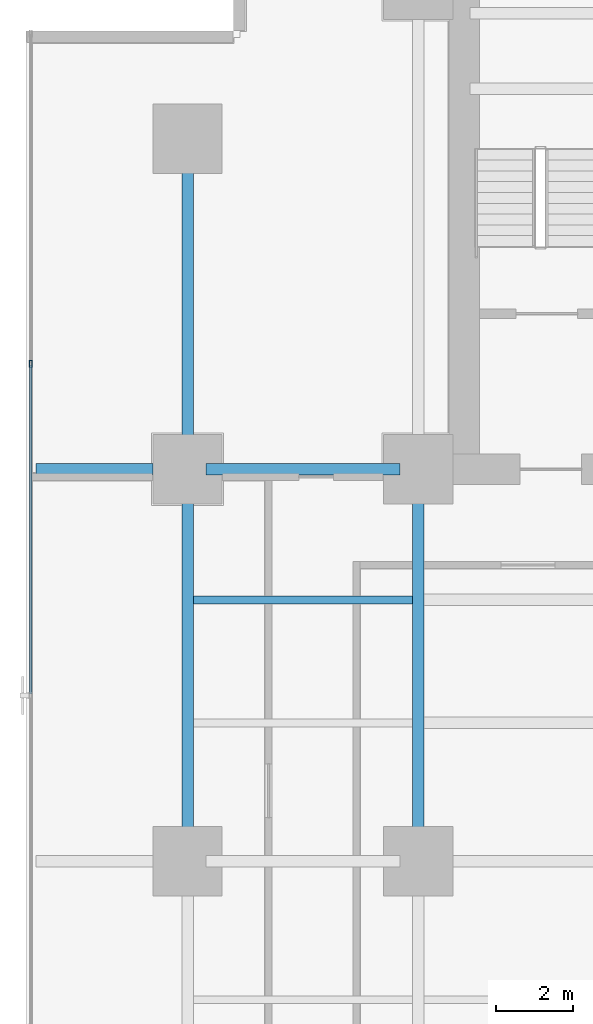
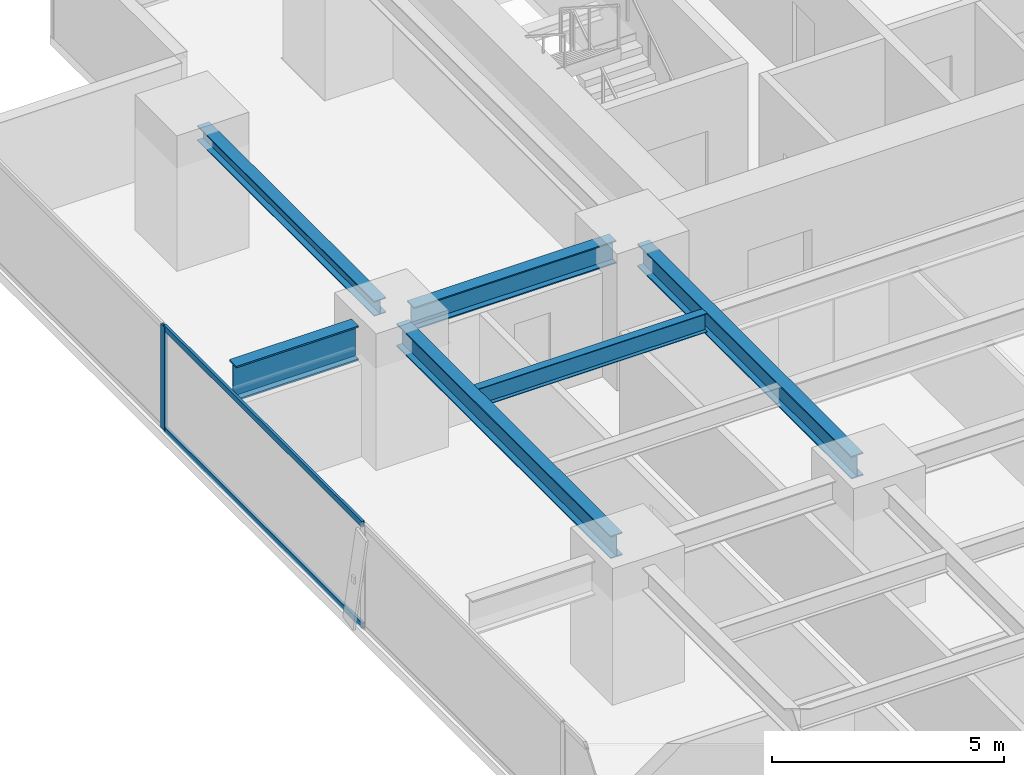
# One storey, part 16 of 33: 6 beams, 3 members, 1 element without a shape of its own.
"""IFC4 building model written with IfcOpenShell, lengths in metres."""

from ifc_helpers import new_model, si_unit, direction, frame, origin, origin_2d, place, context, subcontext, project, spatial, hollow_rectangle, i_section, extrude, source, transform, mapped, material, layer, layer_set, material_profile, profile_set, type_object, element, aggregate, save


model = new_model("IFC4")

# Units and contexts
model_context = context("Model", 3, precision=1e-05, world=origin(), true_north=direction((0.0, 1.0)))
body_context = subcontext(model_context, "Body", "Model", "MODEL_VIEW")
ifc_project = project(units=[si_unit("LENGTHUNIT", "METRE"), si_unit("AREAUNIT", "SQUARE_METRE"), si_unit("VOLUMEUNIT", "CUBIC_METRE"), si_unit("PLANEANGLEUNIT", "RADIAN"), si_unit("MASSUNIT", "GRAM", prefix="KILO")], contexts=[model_context])

# Site, building, storey
site_placement = place(None, origin())
site = spatial("IfcSite", under=ifc_project, at=site_placement, CompositionType="ELEMENT")
building_placement = place(site_placement, origin())
building = spatial("IfcBuilding", under=site, at=building_placement, Name="Sumidabori Civic Tower", CompositionType="ELEMENT")
storey_placement = place(building_placement, frame((0.0, 0.0, 63.199951171875)))
storey = spatial("IfcBuildingStorey", under=building, at=storey_placement, Name="L16", CompositionType="ELEMENT", Elevation=63.199951171875)

# Beams
ifc_material_1 = material(Name="Steel SN490", Category="steel")
ifc_material_profile_1 = material_profile(ifc_material_1, i_section(OverallWidth=0.300048828125, OverallDepth=0.60009765625, WebThickness=0.015380859375, FlangeThickness=0.030029296875, at=origin_2d()), Name="HE 600 B")
ifc_profile_set_1 = profile_set([ifc_material_profile_1], Name="Steel SN490")
beam_type_1 = type_object("IfcBeamType", Name="BM-GIRD-600", PredefinedType="BEAM", material=ifc_profile_set_1)
shared_shape_1 = source(origin(), body_context, "Body", "SweptSolid", [
    extrude(i_section(OverallWidth=0.300048828125, OverallDepth=0.60009765625, WebThickness=0.015380859375, FlangeThickness=0.030029296875, at=origin_2d()), origin(), (0.0, 0.0, 1.0), 5.0400390625),
])
beam_1_placement = place(storey_placement, frame((-22.320068359375, 10.199951171875, 3.06005859375), z_axis=(1.0, 0.0, 0.0), x_axis=(0.0, 1.0, 0.0)))
element("IfcBeam", 1, at=beam_1_placement, inside=storey, type_object=beam_type_1, Name="Primary Girder L16 GX-19", PredefinedType="BEAM", context=body_context, shape_type="MappedRepresentation", body=[
    mapped(shared_shape_1, transform((0.0, 0.0, 0.0), x_axis=(1.0, 0.0, 0.0), y_axis=(0.0, 1.0, 0.0), z_axis=(0.0, 0.0, 1.0), scale=1.0)),
])
shared_shape_2 = source(origin(), body_context, "Body", "SweptSolid", [
    extrude(i_section(OverallWidth=0.300048828125, OverallDepth=0.60009765625, WebThickness=0.015380859375, FlangeThickness=0.030029296875, at=origin_2d()), origin(), (0.0, 0.0, 1.0), 9.239990234375),
])
for number, where, z_axis, x_axis, name in (
    (2, (-22.800048828125, 0.47998046875, 3.06005859375), (0.0, 1.0, 0.0), (-1.0, 0.0, 0.0), "Primary Girder L16 GY-23"),
    (3, (-16.800048828125, 0.47998046875, 3.06005859375), (0.0, 1.0, 0.0), (-1.0, 0.0, 0.0), "Primary Girder L16 GY-27"),
):
    element("IfcBeam", number, at=place(storey_placement, frame(where, z_axis=z_axis, x_axis=x_axis)), inside=storey, type_object=beam_type_1, Name=name, PredefinedType="BEAM", context=body_context, shape_type="MappedRepresentation", body=[
        mapped(shared_shape_2, transform((0.0, 0.0, 0.0), x_axis=(1.0, 0.0, 0.0), y_axis=(0.0, 1.0, 0.0), z_axis=(0.0, 0.0, 1.0), scale=1.0)),
    ])
ifc_material_profile_2 = material_profile(ifc_material_1, i_section(OverallWidth=0.300048828125, OverallDepth=0.39990234375, WebThickness=0.013427734375, FlangeThickness=0.02392578125, at=origin_2d()), Name="HE 400 B")
ifc_profile_set_2 = profile_set([ifc_material_profile_2], Name="Steel SN490")
beam_type_2 = type_object("IfcBeamType", Name="BM-GIRD-400", PredefinedType="BEAM", material=ifc_profile_set_2)
shared_shape_3 = source(origin(), body_context, "Body", "SweptSolid", [
    extrude(i_section(OverallWidth=0.300048828125, OverallDepth=0.39990234375, WebThickness=0.013427734375, FlangeThickness=0.02392578125, at=origin_2d()), origin(), (0.0, 0.0, 1.0), 7.64013671875),
])
beam_2_placement = place(storey_placement, frame((-22.800048828125, 10.679931640625, 3.16015625), z_axis=(0.0, 1.0, 0.0), x_axis=(-1.0, 0.0, 0.0)))
element("IfcBeam", 4, at=beam_2_placement, inside=storey, type_object=beam_type_2, Name="Primary Girder L16 GY-24", PredefinedType="BEAM", context=body_context, shape_type="MappedRepresentation", body=[
    mapped(shared_shape_3, transform((0.0, 0.0, 0.0), x_axis=(1.0, 0.0, 0.0), y_axis=(0.0, 1.0, 0.0), z_axis=(0.0, 0.0, 1.0), scale=1.0)),
])
ifc_material_profile_3 = material_profile(ifc_material_1, i_section(OverallWidth=0.302001953125, OverallDepth=0.909912109375, WebThickness=0.02099609375, FlangeThickness=0.0400390625, at=origin_2d()), Name="HE 900 M")
ifc_profile_set_3 = profile_set([ifc_material_profile_3], Name="Steel SN490")
beam_type_3 = type_object("IfcBeamType", Name="BM-Z1-EDGE", PredefinedType="SPANDREL", material=ifc_profile_set_3)
shared_shape_4 = source(origin(), body_context, "Body", "SweptSolid", [
    extrude(i_section(OverallWidth=0.302001953125, OverallDepth=0.909912109375, WebThickness=0.02099609375, FlangeThickness=0.0400390625, at=origin_2d()), origin(), (0.0, 0.0, 1.0), 3.050048828125),
])
beam_3_placement = place(storey_placement, frame((-26.75, 10.199951171875, 2.905029296875), z_axis=(1.0, 0.0, 0.0), x_axis=(0.0, 1.0, 0.0)))
element("IfcBeam", 5, at=beam_3_placement, inside=storey, type_object=beam_type_3, Name="Perimeter Overhang Beam L16 W-48", PredefinedType="SPANDREL", context=body_context, shape_type="MappedRepresentation", body=[
    mapped(shared_shape_4, transform((0.0, 0.0, 0.0), x_axis=(1.0, 0.0, 0.0), y_axis=(0.0, 1.0, 0.0), z_axis=(0.0, 0.0, 1.0), scale=1.0)),
])
ifc_material_profile_4 = material_profile(ifc_material_1, i_section(OverallWidth=0.199951171875, OverallDepth=0.5, WebThickness=0.01025390625, FlangeThickness=0.01611328125, at=origin_2d()), Name="IPE 500")
ifc_profile_set_4 = profile_set([ifc_material_profile_4], Name="Steel SN490")
beam_type_4 = type_object("IfcBeamType", Name="BM-JST-500", PredefinedType="JOIST", material=ifc_profile_set_4)
shared_shape_5 = source(origin(), body_context, "Body", "SweptSolid", [
    extrude(i_section(OverallWidth=0.199951171875, OverallDepth=0.5, WebThickness=0.01025390625, FlangeThickness=0.01611328125, at=origin_2d()), origin(), (0.0, 0.0, 1.0), 5.699951171875),
])
beam_4_placement = place(storey_placement, frame((-22.64990234375, 6.800048828125, 3.110107421875), z_axis=(1.0, 0.0, 0.0), x_axis=(0.0, 1.0, 0.0)))
element("IfcBeam", 6, at=beam_4_placement, inside=storey, type_object=beam_type_4, Name="Outer Bay Floor Joist L16 JSTO-55", PredefinedType="JOIST", context=body_context, shape_type="MappedRepresentation", body=[
    mapped(shared_shape_5, transform((0.0, 0.0, 0.0), x_axis=(1.0, 0.0, 0.0), y_axis=(0.0, 1.0, 0.0), z_axis=(0.0, 0.0, 1.0), scale=1.0)),
])

# Curtain wall, members
ifc_material_2 = material(Name="Anodised Bronze Aluminium AW-6063-T6", Category="aluminium")
ifc_layer = layer(ifc_material_2, 0.179931640625, Name="Anodised Bronze Aluminium AW-6063-T6")
ifc_layer_set = layer_set([ifc_layer], Name="Anodised Bronze Aluminium AW-6063-T6")
curtain_wall_type = type_object("IfcCurtainWallType", Name="CW-SYS-2", PredefinedType="NOTDEFINED", material=ifc_layer_set)
curtain_wall_placement = place(storey_placement, origin())
curtain_wall = element("IfcCurtainWall", 7, at=curtain_wall_placement, inside=storey, type_object=curtain_wall_type, Name="Curtain Wall CW:L16:R10", PredefinedType="NOTDEFINED")
ifc_material_profile_5 = material_profile(ifc_material_2, hollow_rectangle(XDim=0.070068359375, YDim=0.179931640625, WallThickness=0.006103515625, at=origin_2d()), Name="ALU MULLION 180x70")
ifc_profile_set_5 = profile_set([ifc_material_profile_5], Name="Anodised Bronze Aluminium AW-6063-T6")
member_type_1 = type_object("IfcMemberType", Name="CW-MUL-180", PredefinedType="MULLION", material=ifc_profile_set_5)
shared_shape_6 = source(origin(), body_context, "Body", "SweptSolid", [
    extrude(hollow_rectangle(XDim=0.070068359375, YDim=0.179931640625, WallThickness=0.006103515625, at=origin_2d()), origin(), (0.0, 0.0, 1.0), 2.739990234375),
])
member_1_placement = place(storey_placement, frame((-26.8798828125, 12.94189453125, 0.0), z_axis=(0.0, 0.0, 1.0), x_axis=(1.0, 0.0, 0.0)))
member_1 = element("IfcMember", 8, at=member_1_placement, type_object=member_type_1, Name="CW-2 mullion 2", PredefinedType="MULLION", context=body_context, shape_type="MappedRepresentation", body=[
    mapped(shared_shape_6, transform((0.0, 0.0, 0.0), x_axis=(1.0, 0.0, 0.0), y_axis=(0.0, 1.0, 0.0), z_axis=(0.0, 0.0, 1.0), scale=1.0)),
])
ifc_material_profile_6 = material_profile(ifc_material_2, hollow_rectangle(XDim=0.06494140625, YDim=0.14990234375, WallThickness=0.0048828125, at=origin_2d()), Name="ALU TRANSOM 150x65")
ifc_profile_set_6 = profile_set([ifc_material_profile_6], Name="Anodised Bronze Aluminium AW-6063-T6")
member_type_2 = type_object("IfcMemberType", Name="CW-TRN-150", PredefinedType="USERDEFINED", material=ifc_profile_set_6)
shared_shape_7 = source(origin(), body_context, "Body", "SweptSolid", [
    extrude(hollow_rectangle(XDim=0.06494140625, YDim=0.14990234375, WallThickness=0.0048828125, at=origin_2d()), origin(), (0.0, 0.0, 1.0), 8.557861328125),
])
member_2_placement = place(storey_placement, frame((-26.8798828125, 12.906982421875, 0.032470703125), z_axis=(0.0, -1.0, 0.0), x_axis=(1.0, 0.0, 0.0)))
member_2 = element("IfcMember", 9, at=member_2_placement, type_object=member_type_2, Name="CW-2 transom 2.1", ObjectType="TRANSOM", PredefinedType="USERDEFINED", context=body_context, shape_type="MappedRepresentation", body=[
    mapped(shared_shape_7, transform((0.0, 0.0, 0.0), x_axis=(1.0, 0.0, 0.0), y_axis=(0.0, 1.0, 0.0), z_axis=(0.0, 0.0, 1.0), scale=1.0)),
])
member_3_placement = place(storey_placement, frame((-26.8798828125, 12.906982421875, 2.70751953125), z_axis=(0.0, -1.0, 0.0), x_axis=(1.0, 0.0, 0.0)))
member_3 = element("IfcMember", 10, at=member_3_placement, type_object=member_type_2, Name="CW-2 transom 2.2", ObjectType="TRANSOM", PredefinedType="USERDEFINED", context=body_context, shape_type="MappedRepresentation", body=[
    mapped(shared_shape_7, transform((0.0, 0.0, 0.0), x_axis=(1.0, 0.0, 0.0), y_axis=(0.0, 1.0, 0.0), z_axis=(0.0, 0.0, 1.0), scale=1.0)),
])
aggregate(curtain_wall, [member_1, member_2, member_3])

save(model, "model.ifc")
